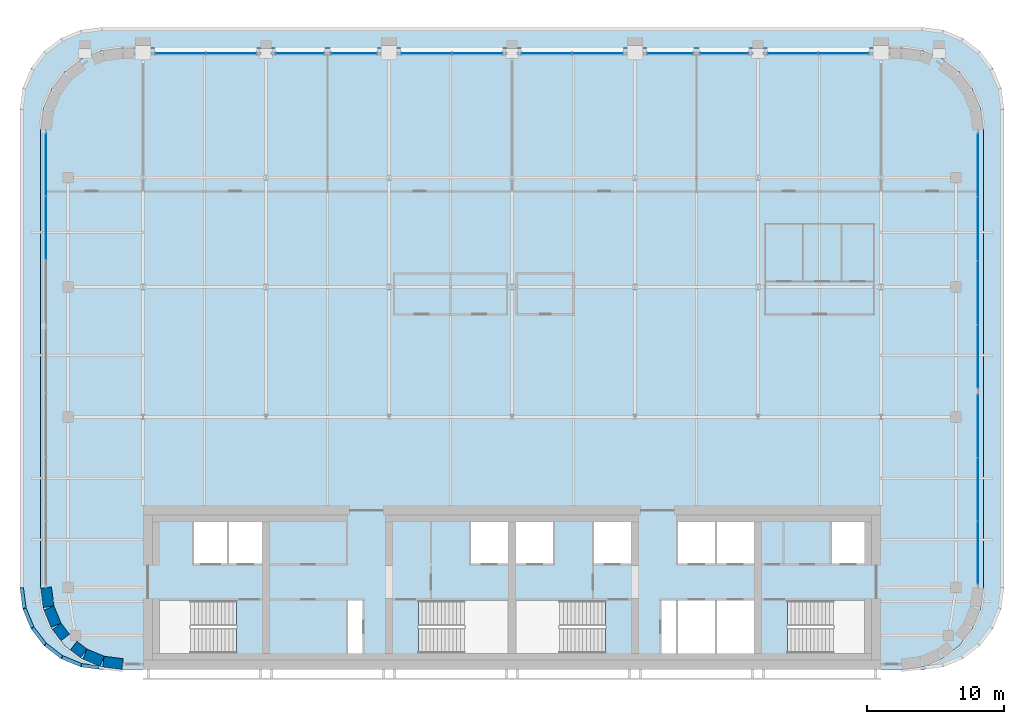
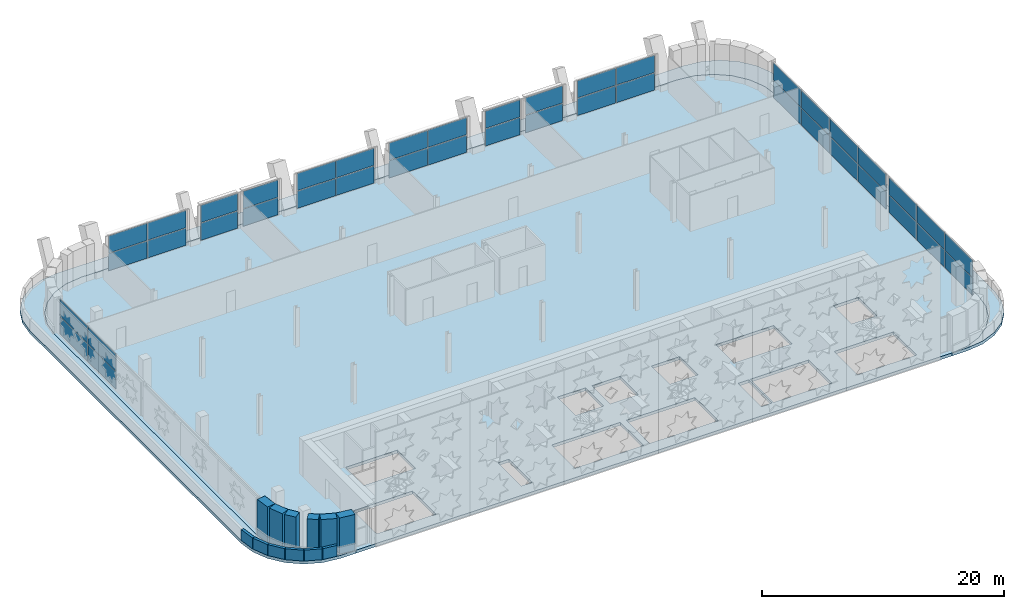
# One storey, part 15 of 25: 42 plates, 12 walls, 2 slabs, 11 elements without a shape of their own.
"""IFC4 building model written with IfcOpenShell, lengths in metres."""

from ifc_helpers import new_model, si_unit, direction, frame, frame_2d, origin, origin_2d, place, context, subcontext, project, spatial, polyline, rectangle, outline, extrude, material, layer, layer_set, type_object, element, aggregate, save


model = new_model("IFC4")

# Units and contexts
model_context = context("Model", 3, precision=1e-05, world=origin(), true_north=direction((0.0, 1.0)))
body_context = subcontext(model_context, "Body", "Model", "MODEL_VIEW")
ifc_project = project(units=[si_unit("LENGTHUNIT", "METRE"), si_unit("AREAUNIT", "SQUARE_METRE"), si_unit("VOLUMEUNIT", "CUBIC_METRE"), si_unit("PLANEANGLEUNIT", "RADIAN"), si_unit("MASSUNIT", "GRAM", prefix="KILO")], contexts=[model_context])

# Site, building, storey
site_placement = place(None, origin())
site = spatial("IfcSite", under=ifc_project, at=site_placement, CompositionType="ELEMENT")
building_placement = place(site_placement, origin())
building = spatial("IfcBuilding", under=site, at=building_placement, Name="Zellij Exchange Tower", CompositionType="ELEMENT")
storey_placement = place(building_placement, frame((0.0, 0.0, 264.5)))
storey = spatial("IfcBuildingStorey", under=building, at=storey_placement, Name="L62", CompositionType="ELEMENT", Elevation=264.5)

# Curtain wall, plates
ifc_material_1 = material(Name="Aluminium frame, clear insulating glass", Category="aluminium")
curtain_wall_type = type_object("IfcCurtainWallType", Name="ENV-CW6 Sky-lobby glazing", PredefinedType="NOTDEFINED", material=ifc_material_1)
curtain_wall_1_placement = place(storey_placement, origin())
curtain_wall_1 = element("IfcCurtainWall", 1, at=curtain_wall_1_placement, inside=storey, type_object=curtain_wall_type, Name="cw.L62.07a", PredefinedType="NOTDEFINED")
ifc_material_2 = material(Name="Insulating glass unit, clear", Category="glass")
ifc_layer_1 = layer(ifc_material_2, 0.035888671875)
ifc_layer_set_1 = layer_set([ifc_layer_1], Name="Insulating glass unit, clear")
plate_type = type_object("IfcPlateType", Name="ENV-CW6P Glazed panel 36", PredefinedType="CURTAIN_PANEL", material=ifc_layer_set_1)
plate_1_placement = place(storey_placement, frame((34.10009765625, -5.436279296875, 0.06005859375), z_axis=(0.0, 0.0, 1.0), x_axis=(0.0, 1.0, 0.0)))
plate_1 = element("IfcPlate", 2, at=plate_1_placement, type_object=plate_type, Name="CW6 panel 1.1", PredefinedType="CURTAIN_PANEL", context=body_context, shape_type="SweptSolid", body=[
    extrude(rectangle(XDim=4.554931640625, YDim=0.035888671875, at=origin_2d()), origin(), (0.0, 0.0, 1.0), 1.735107421875),
])
plate_2_placement = place(storey_placement, frame((34.10009765625, -5.436279296875, 1.85498046875), z_axis=(0.0, 0.0, 1.0), x_axis=(0.0, 1.0, 0.0)))
plate_2 = element("IfcPlate", 3, at=plate_2_placement, type_object=plate_type, Name="CW6 panel 1.2", PredefinedType="CURTAIN_PANEL", context=body_context, shape_type="SweptSolid", body=[
    extrude(rectangle(XDim=4.554931640625, YDim=0.035888671875, at=origin_2d()), origin(), (0.0, 0.0, 1.0), 1.735107421875),
])
plate_3_placement = place(storey_placement, frame((34.10009765625, -0.806396484375, 0.06005859375), z_axis=(0.0, 0.0, 1.0), x_axis=(0.0, 1.0, 0.0)))
plate_3 = element("IfcPlate", 4, at=plate_3_placement, type_object=plate_type, Name="CW6 panel 2.1", PredefinedType="CURTAIN_PANEL", context=body_context, shape_type="SweptSolid", body=[
    extrude(rectangle(XDim=4.5849609375, YDim=0.035888671875, at=origin_2d()), origin(), (0.0, 0.0, 1.0), 1.735107421875),
])
plate_4_placement = place(storey_placement, frame((34.10009765625, -0.806396484375, 1.85498046875), z_axis=(0.0, 0.0, 1.0), x_axis=(0.0, 1.0, 0.0)))
plate_4 = element("IfcPlate", 5, at=plate_4_placement, type_object=plate_type, Name="CW6 panel 2.2", PredefinedType="CURTAIN_PANEL", context=body_context, shape_type="SweptSolid", body=[
    extrude(rectangle(XDim=4.5849609375, YDim=0.035888671875, at=origin_2d()), origin(), (0.0, 0.0, 1.0), 1.735107421875),
])
plate_5_placement = place(storey_placement, frame((34.10009765625, 3.823486328125, 0.06005859375), z_axis=(0.0, 0.0, 1.0), x_axis=(0.0, 1.0, 0.0)))
plate_5 = element("IfcPlate", 6, at=plate_5_placement, type_object=plate_type, Name="CW6 panel 3.1", PredefinedType="CURTAIN_PANEL", context=body_context, shape_type="SweptSolid", body=[
    extrude(rectangle(XDim=4.554931640625, YDim=0.035888671875, at=origin_2d()), origin(), (0.0, 0.0, 1.0), 1.735107421875),
])
plate_6_placement = place(storey_placement, frame((34.10009765625, 3.823486328125, 1.85498046875), z_axis=(0.0, 0.0, 1.0), x_axis=(0.0, 1.0, 0.0)))
plate_6 = element("IfcPlate", 7, at=plate_6_placement, type_object=plate_type, Name="CW6 panel 3.2", PredefinedType="CURTAIN_PANEL", context=body_context, shape_type="SweptSolid", body=[
    extrude(rectangle(XDim=4.554931640625, YDim=0.035888671875, at=origin_2d()), origin(), (0.0, 0.0, 1.0), 1.735107421875),
])
aggregate(curtain_wall_1, [plate_1, plate_2, plate_3, plate_4, plate_5, plate_6])

curtain_wall_2_placement = place(storey_placement, origin())
curtain_wall_2 = element("IfcCurtainWall", 8, at=curtain_wall_2_placement, inside=storey, type_object=curtain_wall_type, Name="cw.L62.07b", PredefinedType="NOTDEFINED")
plate_7_placement = place(storey_placement, frame((34.10009765625, 8.9150390625, 0.06005859375), z_axis=(0.0, 0.0, 1.0), x_axis=(0.0, 1.0, 0.0)))
plate_7 = element("IfcPlate", 9, at=plate_7_placement, type_object=plate_type, Name="CW6 panel 1.1", PredefinedType="CURTAIN_PANEL", context=body_context, shape_type="SweptSolid", body=[
    extrude(rectangle(XDim=4.588134765625, YDim=0.035888671875, at=origin_2d()), origin(), (0.0, 0.0, 1.0), 1.735107421875),
])
plate_8_placement = place(storey_placement, frame((34.10009765625, 8.9150390625, 1.85498046875), z_axis=(0.0, 0.0, 1.0), x_axis=(0.0, 1.0, 0.0)))
plate_8 = element("IfcPlate", 10, at=plate_8_placement, type_object=plate_type, Name="CW6 panel 1.2", PredefinedType="CURTAIN_PANEL", context=body_context, shape_type="SweptSolid", body=[
    extrude(rectangle(XDim=4.588134765625, YDim=0.035888671875, at=origin_2d()), origin(), (0.0, 0.0, 1.0), 1.735107421875),
])
plate_9_placement = place(storey_placement, frame((34.10009765625, 13.578125, 0.06005859375), z_axis=(0.0, 0.0, 1.0), x_axis=(0.0, 1.0, 0.0)))
plate_9 = element("IfcPlate", 11, at=plate_9_placement, type_object=plate_type, Name="CW6 panel 2.1", PredefinedType="CURTAIN_PANEL", context=body_context, shape_type="SweptSolid", body=[
    extrude(rectangle(XDim=4.6181640625, YDim=0.035888671875, at=origin_2d()), origin(), (0.0, 0.0, 1.0), 1.735107421875),
])
plate_10_placement = place(storey_placement, frame((34.10009765625, 13.578125, 1.85498046875), z_axis=(0.0, 0.0, 1.0), x_axis=(0.0, 1.0, 0.0)))
plate_10 = element("IfcPlate", 12, at=plate_10_placement, type_object=plate_type, Name="CW6 panel 2.2", PredefinedType="CURTAIN_PANEL", context=body_context, shape_type="SweptSolid", body=[
    extrude(rectangle(XDim=4.6181640625, YDim=0.035888671875, at=origin_2d()), origin(), (0.0, 0.0, 1.0), 1.735107421875),
])
plate_11_placement = place(storey_placement, frame((34.10009765625, 18.25634765625, 0.06005859375), z_axis=(0.0, 0.0, 1.0), x_axis=(0.0, 1.0, 0.0)))
plate_11 = element("IfcPlate", 13, at=plate_11_placement, type_object=plate_type, Name="CW6 panel 3.1", PredefinedType="CURTAIN_PANEL", context=body_context, shape_type="SweptSolid", body=[
    extrude(rectangle(XDim=4.6181640625, YDim=0.035888671875, at=origin_2d()), origin(), (0.0, 0.0, 1.0), 1.735107421875),
])
plate_12_placement = place(storey_placement, frame((34.10009765625, 18.25634765625, 1.85498046875), z_axis=(0.0, 0.0, 1.0), x_axis=(0.0, 1.0, 0.0)))
plate_12 = element("IfcPlate", 14, at=plate_12_placement, type_object=plate_type, Name="CW6 panel 3.2", PredefinedType="CURTAIN_PANEL", context=body_context, shape_type="SweptSolid", body=[
    extrude(rectangle(XDim=4.6181640625, YDim=0.035888671875, at=origin_2d()), origin(), (0.0, 0.0, 1.0), 1.735107421875),
])
plate_13_placement = place(storey_placement, frame((34.10009765625, 22.919677734375, 0.06005859375), z_axis=(0.0, 0.0, 1.0), x_axis=(0.0, 1.0, 0.0)))
plate_13 = element("IfcPlate", 15, at=plate_13_placement, type_object=plate_type, Name="CW6 panel 4.1", PredefinedType="CURTAIN_PANEL", context=body_context, shape_type="SweptSolid", body=[
    extrude(rectangle(XDim=4.588134765625, YDim=0.035888671875, at=origin_2d()), origin(), (0.0, 0.0, 1.0), 1.735107421875),
])
plate_14_placement = place(storey_placement, frame((34.10009765625, 22.919677734375, 1.85498046875), z_axis=(0.0, 0.0, 1.0), x_axis=(0.0, 1.0, 0.0)))
plate_14 = element("IfcPlate", 16, at=plate_14_placement, type_object=plate_type, Name="CW6 panel 4.2", PredefinedType="CURTAIN_PANEL", context=body_context, shape_type="SweptSolid", body=[
    extrude(rectangle(XDim=4.588134765625, YDim=0.035888671875, at=origin_2d()), origin(), (0.0, 0.0, 1.0), 1.735107421875),
])
aggregate(curtain_wall_2, [plate_7, plate_8, plate_9, plate_10, plate_11, plate_12, plate_13, plate_14])

curtain_wall_3_placement = place(storey_placement, origin())
curtain_wall_3 = element("IfcCurtainWall", 17, at=curtain_wall_3_placement, inside=storey, type_object=curtain_wall_type, Name="cw.L62.14b", PredefinedType="NOTDEFINED")
plate_15_placement = place(storey_placement, frame((24.260009765625, 31.10009765625, 0.06005859375), z_axis=(0.0, 0.0, 1.0), x_axis=(-1.0, 0.0, 0.0)))
plate_15 = element("IfcPlate", 18, at=plate_15_placement, type_object=plate_type, Name="CW6 panel 1.1", PredefinedType="CURTAIN_PANEL", context=body_context, shape_type="SweptSolid", body=[
    extrude(rectangle(XDim=3.659912109375, YDim=0.035888671875, at=origin_2d()), origin(), (0.0, 0.0, 1.0), 1.735107421875),
])
plate_16_placement = place(storey_placement, frame((24.260009765625, 31.10009765625, 1.85498046875), z_axis=(0.0, 0.0, 1.0), x_axis=(-1.0, 0.0, 0.0)))
plate_16 = element("IfcPlate", 19, at=plate_16_placement, type_object=plate_type, Name="CW6 panel 1.2", PredefinedType="CURTAIN_PANEL", context=body_context, shape_type="SweptSolid", body=[
    extrude(rectangle(XDim=3.659912109375, YDim=0.035888671875, at=origin_2d()), origin(), (0.0, 0.0, 1.0), 1.735107421875),
])
plate_17_placement = place(storey_placement, frame((20.5400390625, 31.10009765625, 0.06005859375), z_axis=(0.0, 0.0, 1.0), x_axis=(-1.0, 0.0, 0.0)))
plate_17 = element("IfcPlate", 20, at=plate_17_placement, type_object=plate_type, Name="CW6 panel 2.1", PredefinedType="CURTAIN_PANEL", context=body_context, shape_type="SweptSolid", body=[
    extrude(rectangle(XDim=3.659912109375, YDim=0.035888671875, at=origin_2d()), origin(), (0.0, 0.0, 1.0), 1.735107421875),
])
plate_18_placement = place(storey_placement, frame((20.5400390625, 31.10009765625, 1.85498046875), z_axis=(0.0, 0.0, 1.0), x_axis=(-1.0, 0.0, 0.0)))
plate_18 = element("IfcPlate", 21, at=plate_18_placement, type_object=plate_type, Name="CW6 panel 2.2", PredefinedType="CURTAIN_PANEL", context=body_context, shape_type="SweptSolid", body=[
    extrude(rectangle(XDim=3.659912109375, YDim=0.035888671875, at=origin_2d()), origin(), (0.0, 0.0, 1.0), 1.735107421875),
])
aggregate(curtain_wall_3, [plate_15, plate_16, plate_17, plate_18])

curtain_wall_4_placement = place(storey_placement, origin())
curtain_wall_4 = element("IfcCurtainWall", 22, at=curtain_wall_4_placement, inside=storey, type_object=curtain_wall_type, Name="cw.L62.14c", PredefinedType="NOTDEFINED")
plate_19_placement = place(storey_placement, frame((15.52490234375, 31.10009765625, 0.06005859375), z_axis=(0.0, 0.0, 1.0), x_axis=(-1.0, 0.0, 0.0)))
plate_19 = element("IfcPlate", 23, at=plate_19_placement, type_object=plate_type, Name="CW6 panel 1.1", PredefinedType="CURTAIN_PANEL", context=body_context, shape_type="SweptSolid", body=[
    extrude(rectangle(XDim=3.530029296875, YDim=0.035888671875, at=origin_2d()), origin(), (0.0, 0.0, 1.0), 1.735107421875),
])
plate_20_placement = place(storey_placement, frame((15.52490234375, 31.10009765625, 1.85498046875), z_axis=(0.0, 0.0, 1.0), x_axis=(-1.0, 0.0, 0.0)))
plate_20 = element("IfcPlate", 24, at=plate_20_placement, type_object=plate_type, Name="CW6 panel 1.2", PredefinedType="CURTAIN_PANEL", context=body_context, shape_type="SweptSolid", body=[
    extrude(rectangle(XDim=3.530029296875, YDim=0.035888671875, at=origin_2d()), origin(), (0.0, 0.0, 1.0), 1.735107421875),
])
aggregate(curtain_wall_4, [plate_19, plate_20])

curtain_wall_5_placement = place(storey_placement, origin())
curtain_wall_5 = element("IfcCurtainWall", 25, at=curtain_wall_5_placement, inside=storey, type_object=curtain_wall_type, Name="cw.L62.14d", PredefinedType="NOTDEFINED")
plate_21_placement = place(storey_placement, frame((11.574951171875, 31.10009765625, 0.06005859375), z_axis=(0.0, 0.0, 1.0), x_axis=(-1.0, 0.0, 0.0)))
plate_21 = element("IfcPlate", 26, at=plate_21_placement, type_object=plate_type, Name="CW6 panel 1.1", PredefinedType="CURTAIN_PANEL", context=body_context, shape_type="SweptSolid", body=[
    extrude(rectangle(XDim=3.330078125, YDim=0.035888671875, at=origin_2d()), origin(), (0.0, 0.0, 1.0), 1.735107421875),
])
plate_22_placement = place(storey_placement, frame((11.574951171875, 31.10009765625, 1.85498046875), z_axis=(0.0, 0.0, 1.0), x_axis=(-1.0, 0.0, 0.0)))
plate_22 = element("IfcPlate", 27, at=plate_22_placement, type_object=plate_type, Name="CW6 panel 1.2", PredefinedType="CURTAIN_PANEL", context=body_context, shape_type="SweptSolid", body=[
    extrude(rectangle(XDim=3.330078125, YDim=0.035888671875, at=origin_2d()), origin(), (0.0, 0.0, 1.0), 1.735107421875),
])
aggregate(curtain_wall_5, [plate_21, plate_22])

curtain_wall_6_placement = place(storey_placement, origin())
curtain_wall_6 = element("IfcCurtainWall", 28, at=curtain_wall_6_placement, inside=storey, type_object=curtain_wall_type, Name="cw.L62.14e", PredefinedType="NOTDEFINED")
plate_23_placement = place(storey_placement, frame((6.260009765625, 31.10009765625, 0.06005859375), z_axis=(0.0, 0.0, 1.0), x_axis=(-1.0, 0.0, 0.0)))
plate_23 = element("IfcPlate", 29, at=plate_23_placement, type_object=plate_type, Name="CW6 panel 1.1", PredefinedType="CURTAIN_PANEL", context=body_context, shape_type="SweptSolid", body=[
    extrude(rectangle(XDim=3.659912109375, YDim=0.035888671875, at=origin_2d()), origin(), (0.0, 0.0, 1.0), 1.735107421875),
])
plate_24_placement = place(storey_placement, frame((6.260009765625, 31.10009765625, 1.85498046875), z_axis=(0.0, 0.0, 1.0), x_axis=(-1.0, 0.0, 0.0)))
plate_24 = element("IfcPlate", 30, at=plate_24_placement, type_object=plate_type, Name="CW6 panel 1.2", PredefinedType="CURTAIN_PANEL", context=body_context, shape_type="SweptSolid", body=[
    extrude(rectangle(XDim=3.659912109375, YDim=0.035888671875, at=origin_2d()), origin(), (0.0, 0.0, 1.0), 1.735107421875),
])
plate_25_placement = place(storey_placement, frame((2.5400390625, 31.10009765625, 0.06005859375), z_axis=(0.0, 0.0, 1.0), x_axis=(-1.0, 0.0, 0.0)))
plate_25 = element("IfcPlate", 31, at=plate_25_placement, type_object=plate_type, Name="CW6 panel 2.1", PredefinedType="CURTAIN_PANEL", context=body_context, shape_type="SweptSolid", body=[
    extrude(rectangle(XDim=3.659912109375, YDim=0.035888671875, at=origin_2d()), origin(), (0.0, 0.0, 1.0), 1.735107421875),
])
plate_26_placement = place(storey_placement, frame((2.5400390625, 31.10009765625, 1.85498046875), z_axis=(0.0, 0.0, 1.0), x_axis=(-1.0, 0.0, 0.0)))
plate_26 = element("IfcPlate", 32, at=plate_26_placement, type_object=plate_type, Name="CW6 panel 2.2", PredefinedType="CURTAIN_PANEL", context=body_context, shape_type="SweptSolid", body=[
    extrude(rectangle(XDim=3.659912109375, YDim=0.035888671875, at=origin_2d()), origin(), (0.0, 0.0, 1.0), 1.735107421875),
])
aggregate(curtain_wall_6, [plate_23, plate_24, plate_25, plate_26])

curtain_wall_7_placement = place(storey_placement, origin())
curtain_wall_7 = element("IfcCurtainWall", 33, at=curtain_wall_7_placement, inside=storey, type_object=curtain_wall_type, Name="cw.L62.14f", PredefinedType="NOTDEFINED")
plate_27_placement = place(storey_placement, frame((-2.5400390625, 31.10009765625, 0.06005859375), z_axis=(0.0, 0.0, 1.0), x_axis=(-1.0, 0.0, 0.0)))
plate_27 = element("IfcPlate", 34, at=plate_27_placement, type_object=plate_type, Name="CW6 panel 1.1", PredefinedType="CURTAIN_PANEL", context=body_context, shape_type="SweptSolid", body=[
    extrude(rectangle(XDim=3.659912109375, YDim=0.035888671875, at=origin_2d()), origin(), (0.0, 0.0, 1.0), 1.735107421875),
])
plate_28_placement = place(storey_placement, frame((-2.5400390625, 31.10009765625, 1.85498046875), z_axis=(0.0, 0.0, 1.0), x_axis=(-1.0, 0.0, 0.0)))
plate_28 = element("IfcPlate", 35, at=plate_28_placement, type_object=plate_type, Name="CW6 panel 1.2", PredefinedType="CURTAIN_PANEL", context=body_context, shape_type="SweptSolid", body=[
    extrude(rectangle(XDim=3.659912109375, YDim=0.035888671875, at=origin_2d()), origin(), (0.0, 0.0, 1.0), 1.735107421875),
])
plate_29_placement = place(storey_placement, frame((-6.260009765625, 31.10009765625, 0.06005859375), z_axis=(0.0, 0.0, 1.0), x_axis=(-1.0, 0.0, 0.0)))
plate_29 = element("IfcPlate", 36, at=plate_29_placement, type_object=plate_type, Name="CW6 panel 2.1", PredefinedType="CURTAIN_PANEL", context=body_context, shape_type="SweptSolid", body=[
    extrude(rectangle(XDim=3.659912109375, YDim=0.035888671875, at=origin_2d()), origin(), (0.0, 0.0, 1.0), 1.735107421875),
])
plate_30_placement = place(storey_placement, frame((-6.260009765625, 31.10009765625, 1.85498046875), z_axis=(0.0, 0.0, 1.0), x_axis=(-1.0, 0.0, 0.0)))
plate_30 = element("IfcPlate", 37, at=plate_30_placement, type_object=plate_type, Name="CW6 panel 2.2", PredefinedType="CURTAIN_PANEL", context=body_context, shape_type="SweptSolid", body=[
    extrude(rectangle(XDim=3.659912109375, YDim=0.035888671875, at=origin_2d()), origin(), (0.0, 0.0, 1.0), 1.735107421875),
])
aggregate(curtain_wall_7, [plate_27, plate_28, plate_29, plate_30])

curtain_wall_8_placement = place(storey_placement, origin())
curtain_wall_8 = element("IfcCurtainWall", 38, at=curtain_wall_8_placement, inside=storey, type_object=curtain_wall_type, Name="cw.L62.14g", PredefinedType="NOTDEFINED")
plate_31_placement = place(storey_placement, frame((-11.574951171875, 31.10009765625, 0.06005859375), z_axis=(0.0, 0.0, 1.0), x_axis=(-1.0, 0.0, 0.0)))
plate_31 = element("IfcPlate", 39, at=plate_31_placement, type_object=plate_type, Name="CW6 panel 1.1", PredefinedType="CURTAIN_PANEL", context=body_context, shape_type="SweptSolid", body=[
    extrude(rectangle(XDim=3.330078125, YDim=0.035888671875, at=origin_2d()), origin(), (0.0, 0.0, 1.0), 1.735107421875),
])
plate_32_placement = place(storey_placement, frame((-11.574951171875, 31.10009765625, 1.85498046875), z_axis=(0.0, 0.0, 1.0), x_axis=(-1.0, 0.0, 0.0)))
plate_32 = element("IfcPlate", 40, at=plate_32_placement, type_object=plate_type, Name="CW6 panel 1.2", PredefinedType="CURTAIN_PANEL", context=body_context, shape_type="SweptSolid", body=[
    extrude(rectangle(XDim=3.330078125, YDim=0.035888671875, at=origin_2d()), origin(), (0.0, 0.0, 1.0), 1.735107421875),
])
aggregate(curtain_wall_8, [plate_31, plate_32])

curtain_wall_9_placement = place(storey_placement, origin())
curtain_wall_9 = element("IfcCurtainWall", 41, at=curtain_wall_9_placement, inside=storey, type_object=curtain_wall_type, Name="cw.L62.14h", PredefinedType="NOTDEFINED")
plate_33_placement = place(storey_placement, frame((-15.52490234375, 31.10009765625, 0.06005859375), z_axis=(0.0, 0.0, 1.0), x_axis=(-1.0, 0.0, 0.0)))
plate_33 = element("IfcPlate", 42, at=plate_33_placement, type_object=plate_type, Name="CW6 panel 1.1", PredefinedType="CURTAIN_PANEL", context=body_context, shape_type="SweptSolid", body=[
    extrude(rectangle(XDim=3.530029296875, YDim=0.035888671875, at=origin_2d()), origin(), (0.0, 0.0, 1.0), 1.735107421875),
])
plate_34_placement = place(storey_placement, frame((-15.52490234375, 31.10009765625, 1.85498046875), z_axis=(0.0, 0.0, 1.0), x_axis=(-1.0, 0.0, 0.0)))
plate_34 = element("IfcPlate", 43, at=plate_34_placement, type_object=plate_type, Name="CW6 panel 1.2", PredefinedType="CURTAIN_PANEL", context=body_context, shape_type="SweptSolid", body=[
    extrude(rectangle(XDim=3.530029296875, YDim=0.035888671875, at=origin_2d()), origin(), (0.0, 0.0, 1.0), 1.735107421875),
])
aggregate(curtain_wall_9, [plate_33, plate_34])

curtain_wall_10_placement = place(storey_placement, origin())
curtain_wall_10 = element("IfcCurtainWall", 44, at=curtain_wall_10_placement, inside=storey, type_object=curtain_wall_type, Name="cw.L62.14i", PredefinedType="NOTDEFINED")
plate_35_placement = place(storey_placement, frame((-20.5400390625, 31.10009765625, 0.06005859375), z_axis=(0.0, 0.0, 1.0), x_axis=(-1.0, 0.0, 0.0)))
plate_35 = element("IfcPlate", 45, at=plate_35_placement, type_object=plate_type, Name="CW6 panel 1.1", PredefinedType="CURTAIN_PANEL", context=body_context, shape_type="SweptSolid", body=[
    extrude(rectangle(XDim=3.659912109375, YDim=0.035888671875, at=origin_2d()), origin(), (0.0, 0.0, 1.0), 1.735107421875),
])
plate_36_placement = place(storey_placement, frame((-20.5400390625, 31.10009765625, 1.85498046875), z_axis=(0.0, 0.0, 1.0), x_axis=(-1.0, 0.0, 0.0)))
plate_36 = element("IfcPlate", 46, at=plate_36_placement, type_object=plate_type, Name="CW6 panel 1.2", PredefinedType="CURTAIN_PANEL", context=body_context, shape_type="SweptSolid", body=[
    extrude(rectangle(XDim=3.659912109375, YDim=0.035888671875, at=origin_2d()), origin(), (0.0, 0.0, 1.0), 1.735107421875),
])
plate_37_placement = place(storey_placement, frame((-24.260009765625, 31.10009765625, 0.06005859375), z_axis=(0.0, 0.0, 1.0), x_axis=(-1.0, 0.0, 0.0)))
plate_37 = element("IfcPlate", 47, at=plate_37_placement, type_object=plate_type, Name="CW6 panel 2.1", PredefinedType="CURTAIN_PANEL", context=body_context, shape_type="SweptSolid", body=[
    extrude(rectangle(XDim=3.659912109375, YDim=0.035888671875, at=origin_2d()), origin(), (0.0, 0.0, 1.0), 1.735107421875),
])
plate_38_placement = place(storey_placement, frame((-24.260009765625, 31.10009765625, 1.85498046875), z_axis=(0.0, 0.0, 1.0), x_axis=(-1.0, 0.0, 0.0)))
plate_38 = element("IfcPlate", 48, at=plate_38_placement, type_object=plate_type, Name="CW6 panel 2.2", PredefinedType="CURTAIN_PANEL", context=body_context, shape_type="SweptSolid", body=[
    extrude(rectangle(XDim=3.659912109375, YDim=0.035888671875, at=origin_2d()), origin(), (0.0, 0.0, 1.0), 1.735107421875),
])
aggregate(curtain_wall_10, [plate_35, plate_36, plate_37, plate_38])

curtain_wall_11_placement = place(storey_placement, origin())
curtain_wall_11 = element("IfcCurtainWall", 49, at=curtain_wall_11_placement, inside=storey, type_object=curtain_wall_type, Name="cw.L62.21a", PredefinedType="NOTDEFINED")
plate_39_placement = place(storey_placement, frame((-34.10009765625, 22.936279296875, 0.06005859375), z_axis=(0.0, 0.0, 1.0), x_axis=(0.0, -1.0, 0.0)))
plate_39 = element("IfcPlate", 50, at=plate_39_placement, type_object=plate_type, Name="CW6 panel 1.1", PredefinedType="CURTAIN_PANEL", context=body_context, shape_type="SweptSolid", body=[
    extrude(rectangle(XDim=4.554931640625, YDim=0.035888671875, at=origin_2d()), origin(), (0.0, 0.0, 1.0), 1.735107421875),
])
plate_40_placement = place(storey_placement, frame((-34.10009765625, 22.936279296875, 1.85498046875), z_axis=(0.0, 0.0, 1.0), x_axis=(0.0, -1.0, 0.0)))
plate_40 = element("IfcPlate", 51, at=plate_40_placement, type_object=plate_type, Name="CW6 panel 1.2", PredefinedType="CURTAIN_PANEL", context=body_context, shape_type="SweptSolid", body=[
    extrude(rectangle(XDim=4.554931640625, YDim=0.035888671875, at=origin_2d()), origin(), (0.0, 0.0, 1.0), 1.735107421875),
])
plate_41_placement = place(storey_placement, frame((-34.10009765625, 18.306396484375, 0.06005859375), z_axis=(0.0, 0.0, 1.0), x_axis=(0.0, -1.0, 0.0)))
plate_41 = element("IfcPlate", 52, at=plate_41_placement, type_object=plate_type, Name="CW6 panel 2.1", PredefinedType="CURTAIN_PANEL", context=body_context, shape_type="SweptSolid", body=[
    extrude(rectangle(XDim=4.5849609375, YDim=0.035888671875, at=origin_2d()), origin(), (0.0, 0.0, 1.0), 1.735107421875),
])
plate_42_placement = place(storey_placement, frame((-34.10009765625, 18.306396484375, 1.85498046875), z_axis=(0.0, 0.0, 1.0), x_axis=(0.0, -1.0, 0.0)))
plate_42 = element("IfcPlate", 53, at=plate_42_placement, type_object=plate_type, Name="CW6 panel 2.2", PredefinedType="CURTAIN_PANEL", context=body_context, shape_type="SweptSolid", body=[
    extrude(rectangle(XDim=4.5849609375, YDim=0.035888671875, at=origin_2d()), origin(), (0.0, 0.0, 1.0), 1.735107421875),
])
aggregate(curtain_wall_11, [plate_39, plate_40, plate_41, plate_42])

# Slabs
ifc_material_3 = material(Name="Concrete C40/50", Category="concrete")
ifc_layer_2 = layer(ifc_material_3, 0.300048828125)
ifc_layer_set_2 = layer_set([ifc_layer_2], Name="Concrete C40/50")
slab_type_1 = type_object("IfcSlabType", Name="ENV-LEDGE SLAB 300 C40/50", PredefinedType="ROOF", material=ifc_layer_set_2)
slab_1_placement = place(storey_placement, frame((0.0, 0.0, -0.300048828125)))
element("IfcSlab", 54, at=slab_1_placement, inside=storey, type_object=slab_type_1, Name="Ledge slab L62", PredefinedType="ROOF", context=body_context, shape_type="SweptSolid", body=[
    extrude(outline(polyline([(-34.24267578125, -12.24267578125), (-33.0, -13.1962890625), (-31.552978515625, -13.795654296875), (-30.0, -14.0), (-28.5, -14.0), (-30.052978515625, -13.795654296875), (-31.5, -13.1962890625), (-32.74267578125, -12.24267578125), (-33.6962890625, -11.0), (-34.295654296875, -9.552978515625), (-34.5, -8.0), (-34.5, 25.5), (-34.295654296875, 27.052978515625), (-33.6962890625, 28.5), (-32.74267578125, 29.74267578125), (-31.5, 30.6962890625), (-30.052978515625, 31.295654296875), (-28.5, 31.5), (28.5, 31.5), (30.052978515625, 31.295654296875), (31.5, 30.6962890625), (32.74267578125, 29.74267578125), (33.6962890625, 28.5), (34.295654296875, 27.052978515625), (34.5, 25.5), (34.5, -8.0), (34.295654296875, -9.552978515625), (33.6962890625, -11.0), (32.74267578125, -12.24267578125), (31.5, -13.1962890625), (30.052978515625, -13.795654296875), (28.5, -14.0), (30.0, -14.0), (31.552978515625, -13.795654296875), (33.0, -13.1962890625), (34.24267578125, -12.24267578125), (35.1962890625, -11.0), (35.795654296875, -9.552978515625), (36.0, -8.0), (36.0, 27.0), (35.795654296875, 28.552978515625), (35.1962890625, 30.0), (34.24267578125, 31.24267578125), (33.0, 32.1962890625), (31.552978515625, 32.795654296875), (30.0, 33.0), (-30.0, 33.0), (-31.552978515625, 32.795654296875), (-33.0, 32.1962890625), (-34.24267578125, 31.24267578125), (-35.1962890625, 30.0), (-35.795654296875, 28.552978515625), (-36.0, 27.0), (-36.0, -8.0), (-35.795654296875, -9.552978515625), (-35.1962890625, -11.0), (-34.24267578125, -12.24267578125)])), origin(), (0.0, 0.0, 1.0), 0.300048828125),
])
ifc_layer_3 = layer(ifc_material_3, 0.300048828125)
ifc_layer_set_3 = layer_set([ifc_layer_3], Name="Concrete C40/50")
slab_type_2 = type_object("IfcSlabType", Name="STR-FLOOR SLAB 300 C40/50", PredefinedType="FLOOR", material=ifc_layer_set_3)
slab_2_placement = place(storey_placement, frame((0.0, 0.0, -0.300048828125)))
element("IfcSlab", 55, at=slab_2_placement, inside=storey, type_object=slab_type_2, Name="Floor L62", PredefinedType="FLOOR", context=body_context, shape_type="SweptSolid", body=[
    extrude(outline(polyline([(-28.5, -14.0), (-30.052978515625, -13.795654296875), (-31.5, -13.1962890625), (-32.74267578125, -12.24267578125), (-33.6962890625, -11.0), (-34.295654296875, -9.552978515625), (-34.5, -8.0), (-34.5, 25.5), (-34.295654296875, 27.052978515625), (-33.6962890625, 28.5), (-32.74267578125, 29.74267578125), (-31.5, 30.6962890625), (-30.052978515625, 31.295654296875), (-28.5, 31.5), (28.5, 31.5), (30.052978515625, 31.295654296875), (31.5, 30.6962890625), (32.74267578125, 29.74267578125), (33.6962890625, 28.5), (34.295654296875, 27.052978515625), (34.5, 25.5), (34.5, -8.0), (34.295654296875, -9.552978515625), (33.6962890625, -11.0), (32.74267578125, -12.24267578125), (31.5, -13.1962890625), (30.052978515625, -13.795654296875), (28.5, -14.0), (-28.5, -14.0)]), holes=[polyline([(-25.800048828125, -8.949951171875), (-25.800048828125, -12.800048828125), (-20.153076171875, -12.800048828125), (-20.153076171875, -8.949951171875), (-25.800048828125, -8.949951171875)]), polyline([(-10.949951171875, -8.949951171875), (-12.0, -8.949951171875), (-12.0, -12.800048828125), (-10.949951171875, -12.800048828125), (-10.949951171875, -8.949951171875)]), polyline([(-0.300048828125, -8.949951171875), (-6.846923828125, -8.949951171875), (-6.846923828125, -12.800048828125), (-0.300048828125, -12.800048828125), (-0.300048828125, -8.949951171875)]), polyline([(0.300048828125, -8.949951171875), (0.300048828125, -12.800048828125), (6.846923828125, -12.800048828125), (6.846923828125, -8.949951171875), (0.300048828125, -8.949951171875)]), polyline([(-18.300048828125, -3.199951171875), (-23.25, -3.199951171875), (-23.25, -6.22509765625), (-18.300048828125, -6.22509765625), (-18.300048828125, -3.199951171875)]), polyline([(-0.300048828125, -3.199951171875), (-3.0, -3.199951171875), (-3.0, -6.22509765625), (-0.300048828125, -6.22509765625), (-0.300048828125, -3.199951171875)]), polyline([(0.300048828125, -3.199951171875), (0.300048828125, -6.22509765625), (3.0, -6.22509765625), (3.0, -3.199951171875), (0.300048828125, -3.199951171875)]), polyline([(12.0, -8.949951171875), (10.949951171875, -8.949951171875), (10.949951171875, -12.800048828125), (12.0, -12.800048828125), (12.0, -8.949951171875)]), polyline([(17.699951171875, -8.949951171875), (12.14990234375, -8.949951171875), (12.14990234375, -12.800048828125), (17.699951171875, -12.800048828125), (17.699951171875, -8.949951171875)]), polyline([(25.800048828125, -8.949951171875), (20.153076171875, -8.949951171875), (20.153076171875, -12.800048828125), (25.800048828125, -12.800048828125), (25.800048828125, -8.949951171875)]), polyline([(8.699951171875, -3.199951171875), (6.0, -3.199951171875), (6.0, -6.22509765625), (8.699951171875, -6.22509765625), (8.699951171875, -3.199951171875)]), polyline([(17.699951171875, -3.199951171875), (12.14990234375, -3.199951171875), (12.14990234375, -6.22509765625), (17.699951171875, -6.22509765625), (17.699951171875, -3.199951171875)]), polyline([(25.800048828125, -3.199951171875), (23.39990234375, -3.199951171875), (23.39990234375, -6.22509765625), (25.800048828125, -6.22509765625), (25.800048828125, -3.199951171875)])]), origin(), (0.0, 0.0, 1.0), 0.300048828125),
])

# Walls
ifc_material_4 = material(Name="Precast concrete C40/50", Category="concrete")
ifc_layer_4 = layer(ifc_material_4, 0.800048828125)
ifc_layer_set_4 = layer_set([ifc_layer_4], Name="Precast concrete C40/50")
wall_type_1 = type_object("IfcWallType", Name="ENV-EW1 Precast stone-piered wall 800", PredefinedType="SOLIDWALL", material=ifc_layer_set_4)
wall_1_placement = place(storey_placement, frame((-34.0966796875, -7.999755859375, 0.0), z_axis=(0.0, 0.0, 1.0), x_axis=(0.130517283865, -0.99144603414, 0.0)))
element("IfcWall", 56, at=wall_1_placement, inside=storey, type_object=wall_type_1, Name="fac.L62.22", PredefinedType="SOLIDWALL", context=body_context, shape_type="SweptSolid", body=[
    extrude(rectangle(XDim=1.408447265625, YDim=0.800048828125, at=frame_2d((0.7041015625, 0.0))), origin(), (0.0, 0.0, 1.0), 3.64990234375),
])
wall_2_placement = place(storey_placement, frame((-33.8857421875, -9.497314453125, 0.0), z_axis=(0.0, 0.0, 1.0), x_axis=(0.38276009378, -0.923847774587, 0.0)))
element("IfcWall", 57, at=wall_2_placement, inside=storey, type_object=wall_type_1, Name="fac.L62.23", PredefinedType="SOLIDWALL", context=body_context, shape_type="SweptSolid", body=[
    extrude(rectangle(XDim=1.35546875, YDim=0.800048828125, at=frame_2d((0.677734375, 0.0))), origin(), (0.0, 0.0, 1.0), 3.64990234375),
])
wall_3_placement = place(storey_placement, frame((-33.314697265625, -10.840087890625, 0.0), z_axis=(0.0, 0.0, 1.0), x_axis=(0.608790576947, -0.793330973441, 0.0)))
element("IfcWall", 58, at=wall_3_placement, inside=storey, type_object=wall_type_1, Name="fac.L62.24", PredefinedType="SOLIDWALL", context=body_context, shape_type="SweptSolid", body=[
    extrude(rectangle(XDim=1.013427734375, YDim=0.800048828125, at=frame_2d((0.5068359375, 0.0))), origin(), (0.0, 0.0, 1.0), 3.64990234375),
])
wall_4_placement = place(storey_placement, frame((-32.078857421875, -12.247802734375, 0.0), z_axis=(0.0, 0.0, 1.0), x_axis=(0.793344662299, -0.608772738221, 0.0)))
element("IfcWall", 59, at=wall_4_placement, inside=storey, type_object=wall_type_1, Name="fac.L62.25", PredefinedType="SOLIDWALL", context=body_context, shape_type="SweptSolid", body=[
    extrude(rectangle(XDim=0.93115234375, YDim=0.800048828125, at=frame_2d((0.465576171875, 0.0))), origin(), (0.0, 0.0, 1.0), 3.64990234375),
])
wall_5_placement = place(storey_placement, frame((-31.24951171875, -12.866943359375, 0.0), z_axis=(0.0, 0.0, 1.0), x_axis=(0.923847774587, -0.38276009378, 0.0)))
element("IfcWall", 60, at=wall_5_placement, inside=storey, type_object=wall_type_1, Name="fac.L62.26", PredefinedType="SOLIDWALL", context=body_context, shape_type="SweptSolid", body=[
    extrude(rectangle(XDim=1.35546875, YDim=0.800048828125, at=frame_2d((0.677734375, 0.0))), origin(), (0.0, 0.0, 1.0), 3.64990234375),
])
wall_6_placement = place(storey_placement, frame((-29.896240234375, -13.412841796875, 0.0), z_axis=(0.0, 0.0, 1.0), x_axis=(0.99144603414, -0.130517283865, 0.0)))
element("IfcWall", 61, at=wall_6_placement, inside=storey, type_object=wall_type_1, Name="fac.L62.27", PredefinedType="SOLIDWALL", context=body_context, shape_type="SweptSolid", body=[
    extrude(rectangle(XDim=1.408447265625, YDim=0.800048828125, at=frame_2d((0.7041015625, 0.0))), origin(), (0.0, 0.0, 1.0), 3.64990234375),
])
ifc_layer_5 = layer(ifc_material_4, 0.25)
ifc_layer_set_5 = layer_set([ifc_layer_5], Name="Precast concrete C40/50")
wall_type_2 = type_object("IfcWallType", Name="ENV-PR1 Parapet 250", PredefinedType="PARAPET", material=ifc_layer_set_5)
wall_7_placement = place(storey_placement, frame((-35.873779296875, -8.0, 0.0), z_axis=(0.0, 0.0, 1.0), x_axis=(0.130371242108, -0.991465248625, 0.0)))
element("IfcWall", 62, at=wall_7_placement, inside=storey, type_object=wall_type_2, Name="fac.par.L62.01.01.22", PredefinedType="PARAPET", context=body_context, shape_type="SweptSolid", body=[
    extrude(rectangle(XDim=1.516845703125, YDim=0.25, at=frame_2d((0.75830078125, 0.0))), origin(), (0.0, 0.0, 1.0), 1.10009765625),
])
for number, where, z_axis, x_axis, name in (
    (63, (-35.66748046875, -9.535400390625, 0.0), (0.0, 0.0, 1.0), (0.382696680739, -0.923874044744, 0.0), "fac.par.L62.01.01.23"),
    (64, (-35.076904296875, -10.949951171875, 0.0), (0.0, 0.0, 1.0), (0.608711614562, -0.793391561776, 0.0), "fac.par.L62.01.01.24"),
    (65, (-34.140380859375, -12.16357421875, 0.0), (0.0, 0.0, 1.0), (0.793391561776, -0.608711614562, 0.0), "fac.par.L62.01.01.25"),
    (66, (-32.921630859375, -13.09326171875, 0.0), (0.0, 0.0, 1.0), (0.923874044744, -0.382696680739, 0.0), "fac.par.L62.01.01.26"),
):
    element("IfcWall", number, at=place(storey_placement, frame(where, z_axis=z_axis, x_axis=x_axis)), inside=storey, type_object=wall_type_2, Name=name, PredefinedType="PARAPET", context=body_context, shape_type="SweptSolid", body=[
        extrude(rectangle(XDim=1.50048828125, YDim=0.25, at=frame_2d((0.750244140625, 0.0))), origin(), (0.0, 0.0, 1.0), 1.10009765625),
    ])
wall_8_placement = place(storey_placement, frame((-31.50390625, -13.676025390625, 0.0), z_axis=(0.0, 0.0, 1.0), x_axis=(0.991462114423, -0.130395075304, 0.0)))
element("IfcWall", 67, at=wall_8_placement, inside=storey, type_object=wall_type_2, Name="fac.par.L62.01.01.27", PredefinedType="PARAPET", context=body_context, shape_type="SweptSolid", body=[
    extrude(rectangle(XDim=1.275146484375, YDim=0.25, at=frame_2d((0.6376953125, 0.0))), origin(), (0.0, 0.0, 1.0), 1.10009765625),
])

save(model, "model.ifc")
